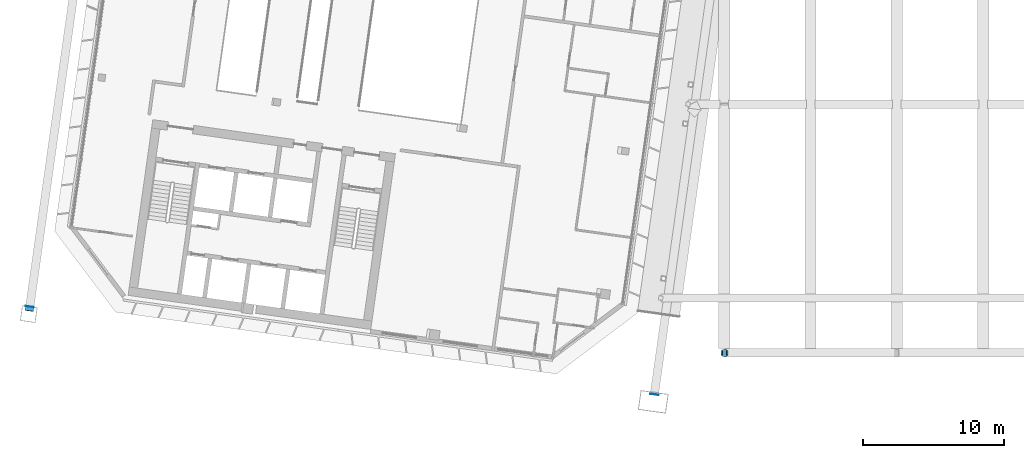
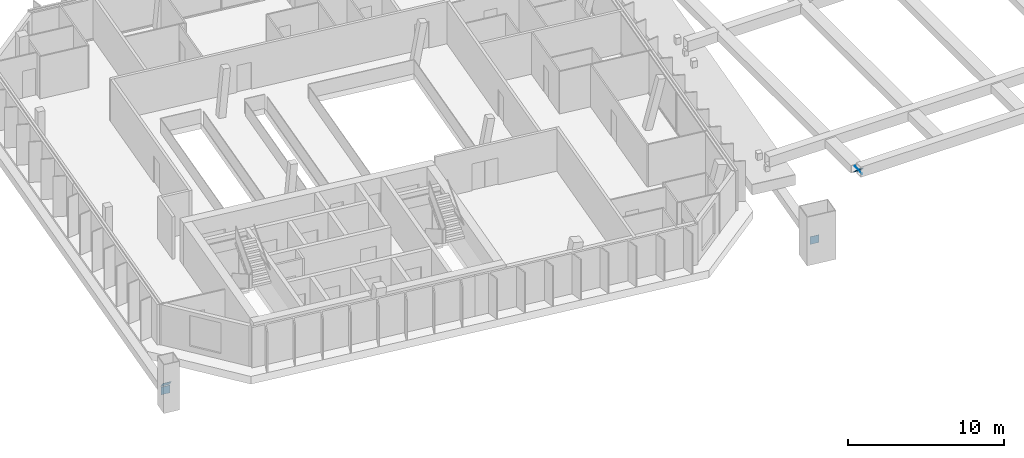
# One storey, part 28 of 36: 5 discrete accessories.
"""IFC4 building model written with IfcOpenShell, lengths in metres."""

from ifc_helpers import new_model, si_unit, direction, frame, origin, origin_2d, place, context, subcontext, project, spatial, rectangle, extrude, material, material_profile, profile_set, type_object, element, save


model = new_model("IFC4")

# Units and contexts
model_context = context("Model", 3, precision=1e-05, world=origin(), true_north=direction((0.0, 1.0)))
body_context = subcontext(model_context, "Body", "Model", "MODEL_VIEW")
ifc_project = project(units=[si_unit("LENGTHUNIT", "METRE"), si_unit("AREAUNIT", "SQUARE_METRE"), si_unit("VOLUMEUNIT", "CUBIC_METRE"), si_unit("PLANEANGLEUNIT", "RADIAN"), si_unit("MASSUNIT", "GRAM", prefix="KILO")], contexts=[model_context])

# Site, building, storey
site_placement = place(None, origin())
site = spatial("IfcSite", under=ifc_project, at=site_placement, CompositionType="ELEMENT")
building_placement = place(site_placement, origin())
building = spatial("IfcBuilding", under=site, at=building_placement, Name="Mirante Cascada Hotel Towers", CompositionType="ELEMENT")
storey_placement = place(building_placement, frame((0.0, 0.0, 254.6)))
storey = spatial("IfcBuildingStorey", under=building, at=storey_placement, Name="L61", CompositionType="ELEMENT", Elevation=254.6)

# Discrete accessories
ifc_material_1 = material(Name="Steel ASTM A572 Gr 50", Category="steel")
ifc_material_profile_1 = material_profile(ifc_material_1, rectangle(XDim=0.5, YDim=0.5, at=origin_2d()), Name="Connection plate 500x500x25 ASTM A572 Gr 50")
ifc_profile_set_1 = profile_set([ifc_material_profile_1], Name="Steel ASTM A572 Gr 50")
discrete_accessory_type_1 = type_object("IfcDiscreteAccessoryType", Name="Connection plate 500x500x25 ASTM A572 Gr 50", PredefinedType="BRACKET", material=ifc_profile_set_1)
discrete_accessory_1_placement = place(storey_placement, frame((-12.2514, -21.5242, 2.8913), z_axis=(0.0, 0.7170505, 0.6970212), x_axis=(-1.0, 0.0, 0.0)))
element("IfcDiscreteAccessory", 1, at=discrete_accessory_1_placement, inside=storey, type_object=discrete_accessory_type_1, Name="Connection plate SP-D1", PredefinedType="BRACKET", context=body_context, shape_type="SweptSolid", body=[
    extrude(rectangle(XDim=0.5, YDim=0.5, at=origin_2d()), origin(), (0.0, 0.0, 1.0), 0.025),
])
discrete_accessory_2_placement = place(storey_placement, frame((-12.262, -21.5153, 2.8934), z_axis=(0.8500099, 0.0, 0.5267667), x_axis=(0.0, 1.0, 0.0)))
element("IfcDiscreteAccessory", 2, at=discrete_accessory_2_placement, inside=storey, type_object=discrete_accessory_type_1, Name="Connection plate SP-ERD", PredefinedType="BRACKET", context=body_context, shape_type="SweptSolid", body=[
    extrude(rectangle(XDim=0.5, YDim=0.5, at=origin_2d()), origin(), (0.0, 0.0, 1.0), 0.0251),
])
ifc_material_2 = material(Name="Steel ASTM A572 Gr 50", Category="steel")
ifc_material_profile_2 = material_profile(ifc_material_2, rectangle(XDim=0.6, YDim=0.6, at=origin_2d()), Name="Connection plate 600x600x25 ASTM A572 Gr 50")
ifc_profile_set_2 = profile_set([ifc_material_profile_2], Name="Steel ASTM A572 Gr 50")
discrete_accessory_type_2 = type_object("IfcDiscreteAccessoryType", Name="Connection plate 600x600x25 ASTM A572 Gr 50", PredefinedType="BRACKET", material=ifc_profile_set_2)
for number, where, z_axis, x_axis, name in (
    (3, (-61.5842, -18.3599, 1.5437), (0.1078268, 0.7747552, 0.622999), (-0.9904536, 0.1378466, 0.0), "Connection plate MB-OL61L"),
    (4, (-17.2245, -24.4793, 1.0), (0.1397442, 0.9901876, 0.0), (-0.9901876, 0.1397442, 0.0), "Connection plate NCH"),
):
    element("IfcDiscreteAccessory", number, at=place(storey_placement, frame(where, z_axis=z_axis, x_axis=x_axis)), inside=storey, type_object=discrete_accessory_type_2, Name=name, PredefinedType="BRACKET", context=body_context, shape_type="SweptSolid", body=[
        extrude(rectangle(XDim=0.6, YDim=0.6, at=origin_2d()), origin(), (0.0, 0.0, 1.0), 0.025),
    ])
discrete_accessory_3_placement = place(storey_placement, frame((-61.5684, -18.2471, 1.0), z_axis=(0.1402989, 0.9901092, 0.0), x_axis=(-0.9901092, 0.1402989, 0.0)))
element("IfcDiscreteAccessory", 5, at=discrete_accessory_3_placement, inside=storey, type_object=discrete_accessory_type_2, Name="Connection plate NCH", PredefinedType="BRACKET", context=body_context, shape_type="SweptSolid", body=[
    extrude(rectangle(XDim=0.6, YDim=0.6, at=origin_2d()), origin(), (0.0, 0.0, 1.0), 0.0249),
])

save(model, "model.ifc")
